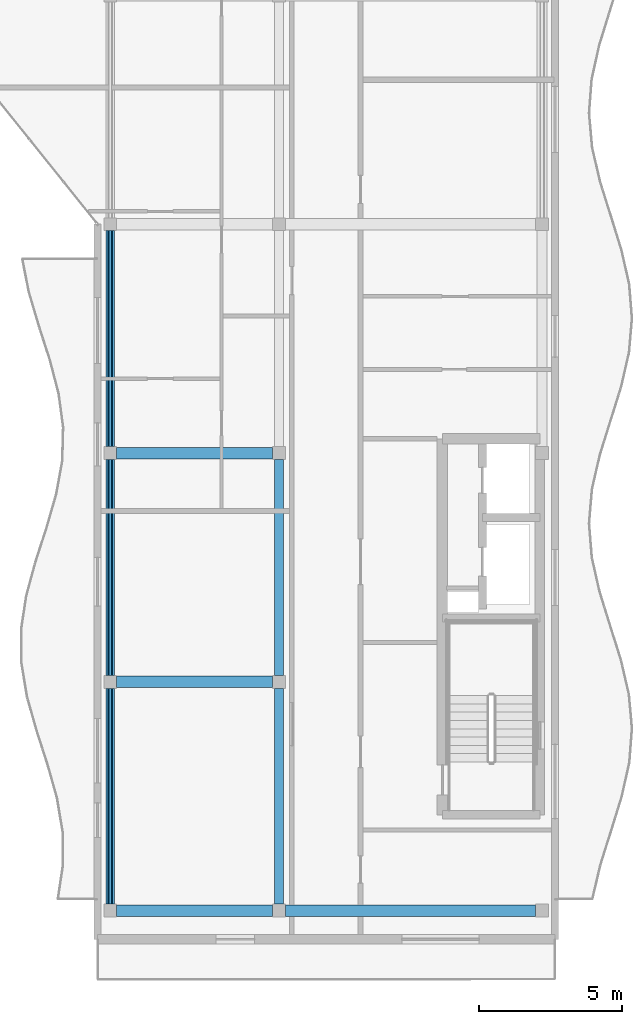
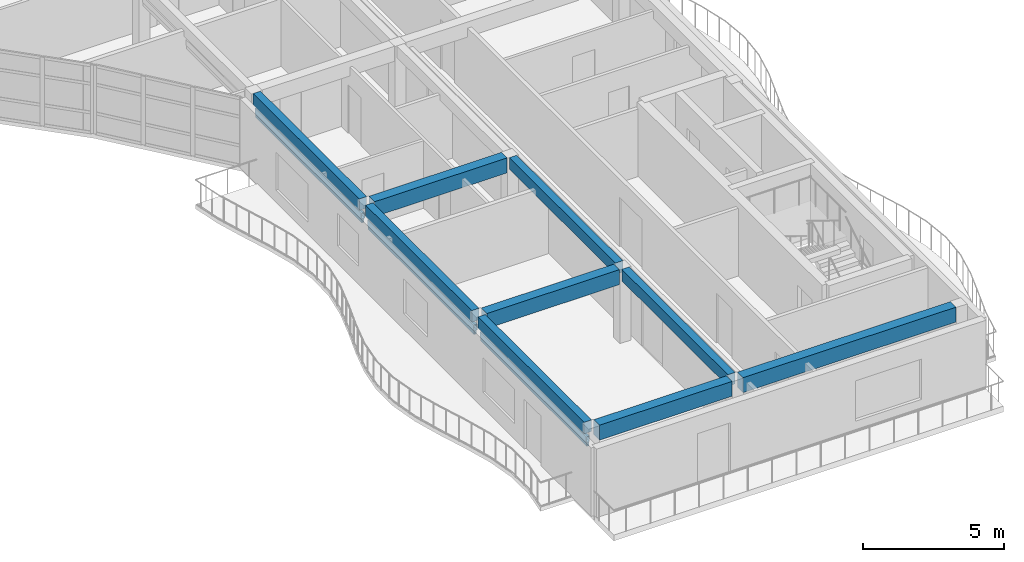
# One storey, part 4 of 18: 9 beams, 6 members.
"""IFC4 building model written with IfcOpenShell, lengths in metres."""

from ifc_helpers import new_model, si_unit, direction, frame, origin, origin_2d, place, context, subcontext, project, spatial, rectangle, hollow_rectangle, extrude, material, material_profile, profile_set, type_object, element, save


model = new_model("IFC4")

# Units and contexts
model_context = context("Model", 3, precision=1e-05, world=origin(), true_north=direction((0.0, 1.0)))
body_context = subcontext(model_context, "Body", "Model", "MODEL_VIEW")
ifc_project = project(units=[si_unit("LENGTHUNIT", "METRE"), si_unit("AREAUNIT", "SQUARE_METRE"), si_unit("VOLUMEUNIT", "CUBIC_METRE"), si_unit("PLANEANGLEUNIT", "RADIAN"), si_unit("MASSUNIT", "GRAM", prefix="KILO")], contexts=[model_context])

# Site, building, storey
site_placement = place(None, origin())
site = spatial("IfcSite", under=ifc_project, at=site_placement, CompositionType="ELEMENT")
building_placement = place(site_placement, origin())
building = spatial("IfcBuilding", under=site, at=building_placement, Name="Keldmere Railside Commons", CompositionType="ELEMENT")
storey_placement = place(building_placement, frame((0.0, 0.0, 39.360107421875)))
storey = spatial("IfcBuildingStorey", under=building, at=storey_placement, Name="L12", CompositionType="ELEMENT", Elevation=39.360107421875)

# Members
ifc_material_1 = material(Name="Steel F-36 (S355)", Category="steel")
ifc_material_profile_1 = material_profile(ifc_material_1, hollow_rectangle(XDim=0.14990234375, YDim=0.25, WallThickness=0.010009765625, at=origin_2d()), Name="RHS-250x150x10")
ifc_profile_set_1 = profile_set([ifc_material_profile_1], Name="Steel F-36 (S355)")
member_type_1 = type_object("IfcMemberType", Name="Balcony Continuous Planted Trough RHS250x150", PredefinedType="CHORD", material=ifc_profile_set_1)
for number, where, z_axis, x_axis, name in (
    (1, (168.449951171875, 64.22509765625, 2.414794921875), (0.0, 1.0, 0.0), (-1.0, 0.0, 0.0), "PLT-1 MEM-BPLT-1033"),
    (2, (168.449951171875, 72.22509765625, 2.414794921875), (0.0, 1.0, 0.0), (-1.0, 0.0, 0.0), "PLT-1 MEM-BPLT-1035"),
    (3, (168.449951171875, 80.22509765625, 2.414794921875), (0.0, 1.0, 0.0), (-1.0, 0.0, 0.0), "PLT-1 MEM-BPLT-1037"),
):
    element("IfcMember", number, at=place(storey_placement, frame(where, z_axis=z_axis, x_axis=x_axis)), inside=storey, type_object=member_type_1, Name=name, PredefinedType="CHORD", context=body_context, shape_type="SweptSolid", body=[
        extrude(hollow_rectangle(XDim=0.14990234375, YDim=0.25, WallThickness=0.010009765625, at=origin_2d()), origin(), (0.0, 0.0, 1.0), 7.5498046875),
    ])

# Beams
ifc_material_2 = material(Name="Concrete H-30 (C30/37)", Category="concrete")
ifc_material_profile_2 = material_profile(ifc_material_2, rectangle(XDim=0.39990234375, YDim=0.64990234375, at=origin_2d()), Name="RC-400x650")
ifc_profile_set_2 = profile_set([ifc_material_profile_2], Name="Concrete H-30 (C30/37)")
beam_type_1 = type_object("IfcBeamType", Name="Residential Spine RC Girder 400x650", PredefinedType="BEAM", material=ifc_profile_set_2)
beam_1_placement = place(storey_placement, frame((168.675048828125, 64.0, 2.875), z_axis=(1.0, 0.0, 0.0), x_axis=(0.0, 1.0, 0.0)))
element("IfcBeam", 4, at=beam_1_placement, inside=storey, type_object=beam_type_1, Name="BG-3 BM-L12-2485", PredefinedType="BEAM", context=body_context, shape_type="SweptSolid", body=[
    extrude(rectangle(XDim=0.39990234375, YDim=0.64990234375, at=origin_2d()), origin(), (0.0, 0.0, 1.0), 5.449951171875),
])
beam_2_placement = place(storey_placement, frame((174.574951171875, 64.0, 2.875), z_axis=(1.0, 0.0, 0.0), x_axis=(0.0, 1.0, 0.0)))
element("IfcBeam", 5, at=beam_2_placement, inside=storey, type_object=beam_type_1, Name="BG-3 BM-L12-2486", PredefinedType="BEAM", context=body_context, shape_type="SweptSolid", body=[
    extrude(rectangle(XDim=0.39990234375, YDim=0.64990234375, at=origin_2d()), origin(), (0.0, 0.0, 1.0), 8.75),
])
for number, where, z_axis, x_axis, name in (
    (6, (168.675048828125, 72.0, 2.875), (1.0, 0.0, 0.0), (0.0, 1.0, 0.0), "BG-3 BM-L12-2487"),
    (7, (168.675048828125, 80.0, 2.875), (1.0, 0.0, 0.0), (0.0, 1.0, 0.0), "BG-3 BM-L12-2488"),
):
    element("IfcBeam", number, at=place(storey_placement, frame(where, z_axis=z_axis, x_axis=x_axis)), inside=storey, type_object=beam_type_1, Name=name, PredefinedType="BEAM", context=body_context, shape_type="SweptSolid", body=[
        extrude(rectangle(XDim=0.39990234375, YDim=0.64990234375, at=origin_2d()), origin(), (0.0, 0.0, 1.0), 5.449951171875),
    ])
ifc_material_profile_3 = material_profile(ifc_material_2, rectangle(XDim=0.300048828125, YDim=0.5, at=origin_2d()), Name="RC-300x500")
ifc_profile_set_3 = profile_set([ifc_material_profile_3], Name="Concrete H-30 (C30/37)")
beam_type_2 = type_object("IfcBeamType", Name="Secondary Frame RC Beam 300x500", PredefinedType="BEAM", material=ifc_profile_set_3)
for number, where, z_axis, x_axis, name in (
    (8, (168.449951171875, 64.22509765625, 2.949951171875), (0.0, 1.0, 0.0), (-1.0, 0.0, 0.0), "BG-5 BM-L12-2501"),
    (9, (168.449951171875, 72.22509765625, 2.949951171875), (0.0, 1.0, 0.0), (-1.0, 0.0, 0.0), "BG-5 BM-L12-2502"),
    (10, (168.449951171875, 80.22509765625, 2.949951171875), (0.0, 1.0, 0.0), (-1.0, 0.0, 0.0), "BG-5 BM-L12-2503"),
    (11, (174.35009765625, 64.22509765625, 2.949951171875), (0.0, 1.0, 0.0), (-1.0, 0.0, 0.0), "BG-5 BM-L12-2506"),
    (12, (174.35009765625, 72.22509765625, 2.949951171875), (0.0, 1.0, 0.0), (-1.0, 0.0, 0.0), "BG-5 BM-L12-2507"),
):
    element("IfcBeam", number, at=place(storey_placement, frame(where, z_axis=z_axis, x_axis=x_axis)), inside=storey, type_object=beam_type_2, Name=name, PredefinedType="BEAM", context=body_context, shape_type="SweptSolid", body=[
        extrude(rectangle(XDim=0.300048828125, YDim=0.5, at=origin_2d()), origin(), (0.0, 0.0, 1.0), 7.5498046875),
    ])

# Members
ifc_material_profile_4 = material_profile(ifc_material_1, hollow_rectangle(XDim=0.10009765625, YDim=0.159912109375, WallThickness=0.008056640625, at=origin_2d()), Name="RHS-160x100x8")
ifc_profile_set_4 = profile_set([ifc_material_profile_4], Name="Steel F-36 (S355)")
member_type_2 = type_object("IfcMemberType", Name="Solar Brise-Soleil Louvre Fin RHS160x100", PredefinedType="STRUT", material=ifc_profile_set_4)
for number, where, z_axis, x_axis, name in (
    (13, (168.449951171875, 64.22509765625, 2.199951171875), (0.0, 1.0, 0.0), (-1.0, 0.0, 0.0), "BSF-1 MEM-BSF-1034"),
    (14, (168.449951171875, 72.22509765625, 2.199951171875), (0.0, 1.0, 0.0), (-1.0, 0.0, 0.0), "BSF-1 MEM-BSF-1036"),
    (15, (168.449951171875, 80.22509765625, 2.199951171875), (0.0, 1.0, 0.0), (-1.0, 0.0, 0.0), "BSF-1 MEM-BSF-1038"),
):
    element("IfcMember", number, at=place(storey_placement, frame(where, z_axis=z_axis, x_axis=x_axis)), inside=storey, type_object=member_type_2, Name=name, PredefinedType="STRUT", context=body_context, shape_type="SweptSolid", body=[
        extrude(hollow_rectangle(XDim=0.10009765625, YDim=0.159912109375, WallThickness=0.008056640625, at=origin_2d()), origin(), (0.0, 0.0, 1.0), 7.5498046875),
    ])

save(model, "model.ifc")
